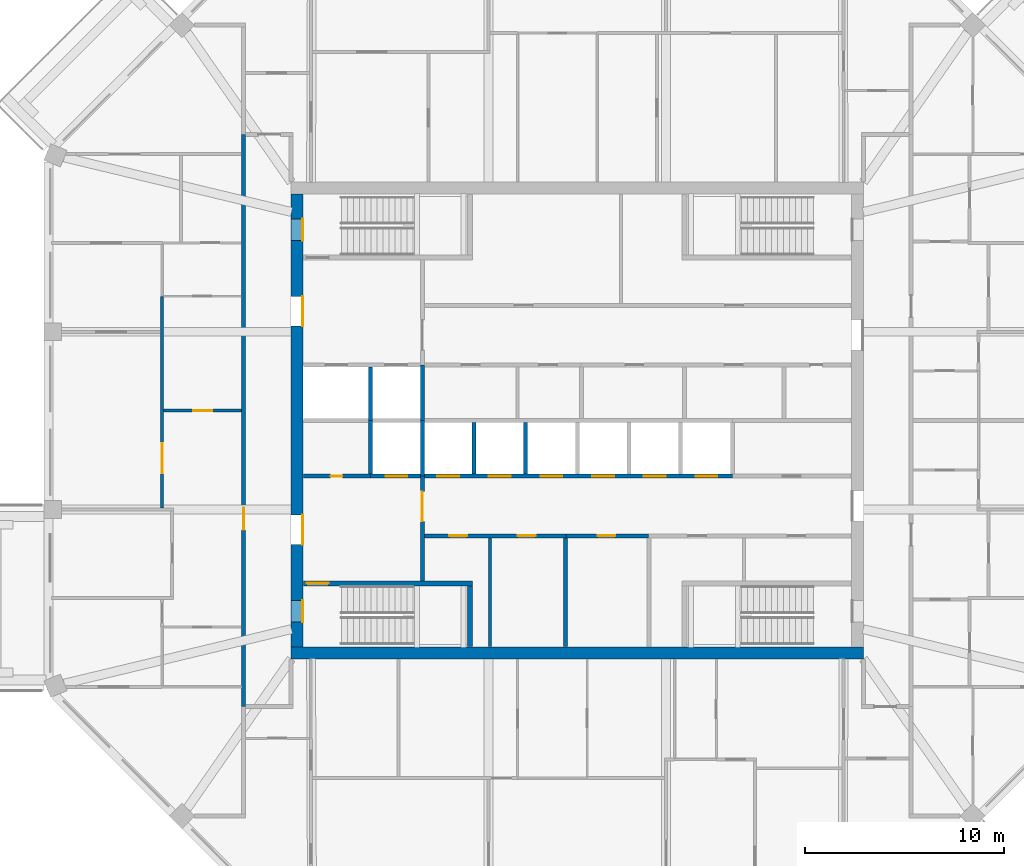
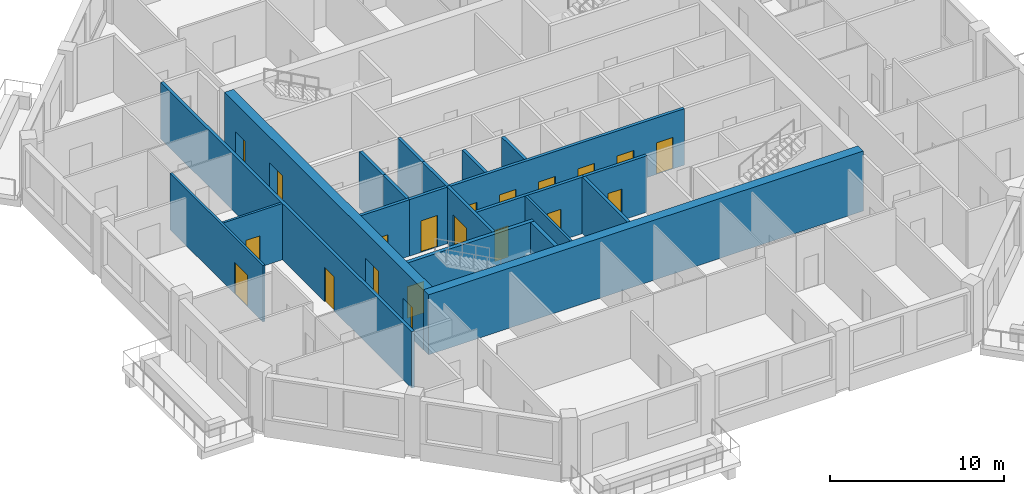
# One storey, part 4 of 11: 20 doors, 20 walls, 20 openings.
"""IFC4 building model written with IfcOpenShell, lengths in metres."""

from ifc_helpers import new_model, si_unit, direction, frame, frame_2d, origin, place, context, subcontext, project, spatial, rectangle, extrude, material, layer, layer_set, type_object, element, fill, save


model = new_model("IFC4")

# Units and contexts
model_context = context("Model", 3, precision=1e-05, world=origin(), true_north=direction((0.0, 1.0)))
body_context = subcontext(model_context, "Body", "Model", "MODEL_VIEW")
ifc_project = project(units=[si_unit("LENGTHUNIT", "METRE"), si_unit("AREAUNIT", "SQUARE_METRE"), si_unit("VOLUMEUNIT", "CUBIC_METRE"), si_unit("PLANEANGLEUNIT", "RADIAN"), si_unit("MASSUNIT", "GRAM", prefix="KILO")], contexts=[model_context])

# Site, building, storey
site_placement = place(None, origin())
site = spatial("IfcSite", under=ifc_project, at=site_placement, CompositionType="ELEMENT")
building_placement = place(site_placement, origin())
building = spatial("IfcBuilding", under=site, at=building_placement, Name="Msitu Wima Residences", CompositionType="ELEMENT")
storey_placement = place(building_placement, frame((0.0, 0.0, 260.10009765625)))
storey = spatial("IfcBuildingStorey", under=building, at=storey_placement, Name="L60", CompositionType="ELEMENT", Elevation=260.10009765625)

# Wall
ifc_material_1 = material(Name="Concrete C50/60", Category="concrete")
ifc_layer_1 = layer(ifc_material_1, 0.60009765625)
ifc_layer_set_1 = layer_set([ifc_layer_1], Name="Concrete C50/60")
wall_type_1 = type_object("IfcWallType", Name="Core wall CW600 C50/60", PredefinedType="SHEAR", material=ifc_layer_set_1)
wall_1_placement = place(storey_placement, frame((-14.39990234375, -11.699951171875, 0.0), z_axis=(0.0, 0.0, 1.0), x_axis=(1.0, 0.0, 0.0)))
element("IfcWall", 1, at=wall_1_placement, inside=storey, type_object=wall_type_1, Name="Core wall", PredefinedType="SHEAR", context=body_context, shape_type="SweptSolid", body=[
    extrude(rectangle(XDim=28.7998046875, YDim=0.60009765625, at=frame_2d((14.39990234375, 0.0))), origin(), (0.0, 0.0, 1.0), 4.199951171875),
])

# Wall, openings, doors
wall_2_placement = place(storey_placement, frame((-14.10009765625, -11.39990234375, 0.0), z_axis=(0.0, 0.0, 1.0), x_axis=(0.0, 1.0, 0.0)))
wall_2 = element("IfcWall", 2, at=wall_2_placement, inside=storey, type_object=wall_type_1, Name="Core wall", PredefinedType="SHEAR", context=body_context, shape_type="SweptSolid", body=[
    extrude(rectangle(XDim=22.7998046875, YDim=0.60009765625, at=frame_2d((11.39990234375, 0.0))), origin(), (0.0, 0.0, 1.0), 4.199951171875),
])
opening_1_placement = place(wall_2_placement, frame((20.449951171875, 0.0, 0.0)))
opening_1 = element("IfcOpeningElement", 3, at=opening_1_placement, cuts=wall_2, Name="Opening D60-62.085", PredefinedType="OPENING", context=body_context, shape_type="SweptSolid", body=[
    extrude(rectangle(XDim=1.10009765625, YDim=2.199951171875, at=frame_2d((0.550048828125, 1.10009765625))), frame((0.0, 0.31005859375, 0.0), z_axis=(0.0, -1.0, 0.0), x_axis=(1.0, 0.0, 0.0)), (0.0, 0.0, 1.0), 0.6201171875),
])
opening_2_placement = place(wall_2_placement, frame((1.25, 0.0, 0.0)))
opening_2 = element("IfcOpeningElement", 4, at=opening_2_placement, cuts=wall_2, Name="Opening D60-62.087", PredefinedType="OPENING", context=body_context, shape_type="SweptSolid", body=[
    extrude(rectangle(XDim=1.10009765625, YDim=2.199951171875, at=frame_2d((0.550048828125, 1.10009765625))), frame((0.0, 0.31005859375, 0.0), z_axis=(0.0, -1.0, 0.0), x_axis=(1.0, 0.0, 0.0)), (0.0, 0.0, 1.0), 0.6201171875),
])
opening_3_placement = place(wall_2_placement, frame((16.14990234375, 0.0, 0.0)))
opening_3 = element("IfcOpeningElement", 5, at=opening_3_placement, cuts=wall_2, Name="Opening D60-62.066", PredefinedType="OPENING", context=body_context, shape_type="SweptSolid", body=[
    extrude(rectangle(XDim=1.5, YDim=2.39990234375, at=frame_2d((0.75, 1.199951171875))), frame((0.0, 0.31005859375, 0.0), z_axis=(0.0, -1.0, 0.0), x_axis=(1.0, 0.0, 0.0)), (0.0, 0.0, 1.0), 0.6201171875),
])
opening_4_placement = place(wall_2_placement, frame((5.14990234375, 0.0, 0.0)))
opening_4 = element("IfcOpeningElement", 6, at=opening_4_placement, cuts=wall_2, Name="Opening D60-62.068", PredefinedType="OPENING", context=body_context, shape_type="SweptSolid", body=[
    extrude(rectangle(XDim=1.5, YDim=2.39990234375, at=frame_2d((0.75, 1.199951171875))), frame((0.0, 0.31005859375, 0.0), z_axis=(0.0, -1.0, 0.0), x_axis=(1.0, 0.0, 0.0)), (0.0, 0.0, 1.0), 0.6201171875),
])
ifc_material_2 = material(Name="Steel framed glazed door, fire resisting", Category="steel")
door_type_1 = type_object("IfcDoorType", Name="Lobby door D07 1500x2400", OperationType="DOUBLE_DOOR_SINGLE_SWING", PredefinedType="DOOR", material=ifc_material_2)
door_1_placement = place(opening_3_placement, origin())
door_1 = element("IfcDoor", 7, at=door_1_placement, inside=storey, type_object=door_type_1, Name="Lobby door", OperationType="DOUBLE_DOOR_SINGLE_SWING", OverallHeight=2.39990234375, OverallWidth=1.5, PredefinedType="DOOR", context=body_context, shape_type="SweptSolid", body=[
    extrude(rectangle(XDim=1.5, YDim=2.39990234375, at=frame_2d((0.75, 1.199951171875))), frame((0.0, -0.2451171875, 0.0), z_axis=(0.0, -1.0, 0.0), x_axis=(1.0, 0.0, 0.0)), (0.0, 0.0, 1.0), 0.050048828125),
])
fill(opening_3, door_1)
door_2_placement = place(opening_4_placement, origin())
door_2 = element("IfcDoor", 8, at=door_2_placement, inside=storey, type_object=door_type_1, Name="Lobby door", OperationType="DOUBLE_DOOR_SINGLE_SWING", OverallHeight=2.39990234375, OverallWidth=1.5, PredefinedType="DOOR", context=body_context, shape_type="SweptSolid", body=[
    extrude(rectangle(XDim=1.5, YDim=2.39990234375, at=frame_2d((0.75, 1.199951171875))), frame((0.0, -0.2451171875, 0.0), z_axis=(0.0, -1.0, 0.0), x_axis=(1.0, 0.0, 0.0)), (0.0, 0.0, 1.0), 0.050048828125),
])
fill(opening_4, door_2)
ifc_material_3 = material(Name="Steel door, fire resisting, panic bar", Category="steel")
door_type_2 = type_object("IfcDoorType", Name="Stair door D06 1100x2200", OperationType="SINGLE_SWING_LEFT", PredefinedType="DOOR", material=ifc_material_3)
door_3_placement = place(opening_1_placement, origin())
door_3 = element("IfcDoor", 9, at=door_3_placement, inside=storey, type_object=door_type_2, Name="Stair door", OperationType="SINGLE_SWING_RIGHT", OverallHeight=2.199951171875, OverallWidth=1.10009765625, PredefinedType="DOOR", context=body_context, shape_type="SweptSolid", body=[
    extrude(rectangle(XDim=1.10009765625, YDim=2.199951171875, at=frame_2d((0.550048828125, 1.10009765625))), frame((0.0, -0.2451171875, 0.0), z_axis=(0.0, -1.0, 0.0), x_axis=(1.0, 0.0, 0.0)), (0.0, 0.0, 1.0), 0.050048828125),
])
fill(opening_1, door_3)
door_4_placement = place(opening_2_placement, origin())
door_4 = element("IfcDoor", 10, at=door_4_placement, inside=storey, type_object=door_type_2, Name="Stair door", OperationType="SINGLE_SWING_LEFT", OverallHeight=2.199951171875, OverallWidth=1.10009765625, PredefinedType="DOOR", context=body_context, shape_type="SweptSolid", body=[
    extrude(rectangle(XDim=1.10009765625, YDim=2.199951171875, at=frame_2d((0.550048828125, 1.10009765625))), frame((0.0, -0.2451171875, 0.0), z_axis=(0.0, -1.0, 0.0), x_axis=(1.0, 0.0, 0.0)), (0.0, 0.0, 1.0), 0.050048828125),
])
fill(opening_2, door_4)

# Wall, opening, door
ifc_material_4 = material(Name="Plaster")
ifc_layer_2 = layer(ifc_material_4, 0.011962890625, Name="Plaster")
ifc_material_5 = material(Name="Concrete blockwork", Category="masonry")
ifc_layer_3 = layer(ifc_material_5, 0.176025390625, Name="Concrete blockwork")
ifc_layer_4 = layer(ifc_material_4, 0.011962890625, Name="Plaster")
ifc_layer_set_2 = layer_set([ifc_layer_2, ifc_layer_3, ifc_layer_4], Name="Concrete blockwork")
wall_type_2 = type_object("IfcWallType", Name="Corridor wall FW200", PredefinedType="PARTITIONING", material=ifc_layer_set_2)
wall_3_placement = place(storey_placement, frame((-16.800048828125, -14.39990234375, 0.0), z_axis=(0.0, 0.0, 1.0), x_axis=(0.0, 1.0, 0.0)))
wall_3 = element("IfcWall", 11, at=wall_3_placement, inside=storey, type_object=wall_type_2, Name="Corridor wall", PredefinedType="PARTITIONING", context=body_context, shape_type="SweptSolid", body=[
    extrude(rectangle(XDim=28.7998046875, YDim=0.199951171875, at=frame_2d((14.39990234375, 0.0))), origin(), (0.0, 0.0, 1.0), 3.949951171875),
])
opening_5_placement = place(wall_3_placement, frame((8.89990234375, 0.0, 0.0)))
opening_5 = element("IfcOpeningElement", 12, at=opening_5_placement, cuts=wall_3, Name="Opening D60-62.039", PredefinedType="OPENING", context=body_context, shape_type="SweptSolid", body=[
    extrude(rectangle(XDim=1.10009765625, YDim=2.39990234375, at=frame_2d((0.550048828125, 1.199951171875))), frame((0.0, 0.10986328125, 0.0), z_axis=(0.0, -1.0, 0.0), x_axis=(1.0, 0.0, 0.0)), (0.0, 0.0, 1.0), 0.219970703125),
])
ifc_material_6 = material(Name="Timber flush door, fire resisting, self-closing", Category="wood")
door_type_3 = type_object("IfcDoorType", Name="Flat entrance door D01 1100x2400", OperationType="SINGLE_SWING_LEFT", PredefinedType="DOOR", material=ifc_material_6)
door_5_placement = place(opening_5_placement, origin())
door_5 = element("IfcDoor", 13, at=door_5_placement, inside=storey, type_object=door_type_3, Name="Flat entrance door", OperationType="SINGLE_SWING_LEFT", OverallHeight=2.39990234375, OverallWidth=1.10009765625, PredefinedType="DOOR", context=body_context, shape_type="SweptSolid", body=[
    extrude(rectangle(XDim=1.10009765625, YDim=2.39990234375, at=frame_2d((0.550048828125, 1.199951171875))), frame((0.0, 0.02490234375, 0.0), z_axis=(0.0, -1.0, 0.0), x_axis=(1.0, 0.0, 0.0)), (0.0, 0.0, 1.0), 0.050048828125),
])
fill(opening_5, door_5)

wall_4_placement = place(storey_placement, frame((-7.800048828125, -8.074951171875, 0.0), z_axis=(0.0, 0.0, 1.0), x_axis=(0.0, 1.0, 0.0)))
wall_4 = element("IfcWall", 14, at=wall_4_placement, inside=storey, type_object=wall_type_2, Name="Corridor wall", PredefinedType="PARTITIONING", context=body_context, shape_type="SweptSolid", body=[
    extrude(rectangle(XDim=5.27490234375, YDim=0.199951171875, at=frame_2d((2.637451171875, 0.0))), origin(), (0.0, 0.0, 1.0), 3.949951171875),
])
opening_6_placement = place(wall_4_placement, frame((3.0, 0.0, 0.0)))
opening_6 = element("IfcOpeningElement", 15, at=opening_6_placement, cuts=wall_4, Name="Opening D60-62.069", PredefinedType="OPENING", context=body_context, shape_type="SweptSolid", body=[
    extrude(rectangle(XDim=1.5, YDim=2.39990234375, at=frame_2d((0.75, 1.199951171875))), frame((0.0, 0.10986328125, 0.0), z_axis=(0.0, -1.0, 0.0), x_axis=(1.0, 0.0, 0.0)), (0.0, 0.0, 1.0), 0.219970703125),
])
door_6_placement = place(opening_6_placement, origin())
door_6 = element("IfcDoor", 16, at=door_6_placement, inside=storey, type_object=door_type_1, Name="Lobby door", OperationType="DOUBLE_DOOR_SINGLE_SWING", OverallHeight=2.39990234375, OverallWidth=1.5, PredefinedType="DOOR", context=body_context, shape_type="SweptSolid", body=[
    extrude(rectangle(XDim=1.5, YDim=2.39990234375, at=frame_2d((0.75, 1.199951171875))), frame((0.0, 0.02490234375, 0.0), z_axis=(0.0, -1.0, 0.0), x_axis=(1.0, 0.0, 0.0)), (0.0, 0.0, 1.0), 0.050048828125),
])
fill(opening_6, door_6)

# Wall, openings, doors
wall_5_placement = place(storey_placement, frame((-7.699951171875, -5.800048828125, 0.0), z_axis=(0.0, 0.0, 1.0), x_axis=(1.0, 0.0, 0.0)))
wall_5 = element("IfcWall", 17, at=wall_5_placement, inside=storey, type_object=wall_type_2, Name="Corridor wall", PredefinedType="PARTITIONING", context=body_context, shape_type="SweptSolid", body=[
    extrude(rectangle(XDim=7.119873046875, YDim=0.199951171875, at=frame_2d((3.56005859375, 0.0))), origin(), (0.0, 0.0, 1.0), 3.949951171875),
])
opening_7_placement = place(wall_5_placement, frame((1.25, 0.0, 0.0)))
opening_7 = element("IfcOpeningElement", 18, at=opening_7_placement, cuts=wall_5, Name="Opening D60-62.072", PredefinedType="OPENING", context=body_context, shape_type="SweptSolid", body=[
    extrude(rectangle(XDim=0.89990234375, YDim=2.199951171875, at=frame_2d((0.449951171875, 1.10009765625))), frame((0.0, 0.10986328125, 0.0), z_axis=(0.0, -1.0, 0.0), x_axis=(1.0, 0.0, 0.0)), (0.0, 0.0, 1.0), 0.219970703125),
])
opening_8_placement = place(wall_5_placement, frame((4.699951171875, 0.0, 0.0)))
opening_8 = element("IfcOpeningElement", 19, at=opening_8_placement, cuts=wall_5, Name="Opening D60-62.073", PredefinedType="OPENING", context=body_context, shape_type="SweptSolid", body=[
    extrude(rectangle(XDim=0.89990234375, YDim=2.199951171875, at=frame_2d((0.449951171875, 1.10009765625))), frame((0.0, 0.10986328125, 0.0), z_axis=(0.0, -1.0, 0.0), x_axis=(1.0, 0.0, 0.0)), (0.0, 0.0, 1.0), 0.219970703125),
])
ifc_material_7 = material(Name="Timber flush door", Category="wood")
door_type_4 = type_object("IfcDoorType", Name="Service door D05 900x2200", OperationType="SINGLE_SWING_LEFT", PredefinedType="DOOR", material=ifc_material_7)
door_7_placement = place(opening_7_placement, origin())
door_7 = element("IfcDoor", 20, at=door_7_placement, inside=storey, type_object=door_type_4, Name="Service door", OperationType="SINGLE_SWING_LEFT", OverallHeight=2.199951171875, OverallWidth=0.89990234375, PredefinedType="DOOR", context=body_context, shape_type="SweptSolid", body=[
    extrude(rectangle(XDim=0.89990234375, YDim=2.199951171875, at=frame_2d((0.449951171875, 1.10009765625))), frame((0.0, 0.02490234375, 0.0), z_axis=(0.0, -1.0, 0.0), x_axis=(1.0, 0.0, 0.0)), (0.0, 0.0, 1.0), 0.050048828125),
])
fill(opening_7, door_7)
door_8_placement = place(opening_8_placement, origin())
door_8 = element("IfcDoor", 21, at=door_8_placement, inside=storey, type_object=door_type_4, Name="Service door", OperationType="SINGLE_SWING_RIGHT", OverallHeight=2.199951171875, OverallWidth=0.89990234375, PredefinedType="DOOR", context=body_context, shape_type="SweptSolid", body=[
    extrude(rectangle(XDim=0.89990234375, YDim=2.199951171875, at=frame_2d((0.449951171875, 1.10009765625))), frame((0.0, 0.02490234375, 0.0), z_axis=(0.0, -1.0, 0.0), x_axis=(1.0, 0.0, 0.0)), (0.0, 0.0, 1.0), 0.050048828125),
])
fill(opening_8, door_8)

# Wall, opening, door
ifc_layer_5 = layer(ifc_material_4, 0.011962890625, Name="Plaster")
ifc_layer_6 = layer(ifc_material_5, 0.1259765625, Name="Concrete blockwork")
ifc_layer_7 = layer(ifc_material_4, 0.011962890625, Name="Plaster")
ifc_layer_set_3 = layer_set([ifc_layer_5, ifc_layer_6, ifc_layer_7], Name="Concrete blockwork")
wall_type_3 = type_object("IfcWallType", Name="Partition PW150", PredefinedType="PARTITIONING", material=ifc_layer_set_3)
wall_6_placement = place(storey_placement, frame((-20.89990234375, -4.3935546875, 0.0), z_axis=(0.0, 0.0, 1.0), x_axis=(0.0, 1.0, 0.0)))
wall_6 = element("IfcWall", 22, at=wall_6_placement, inside=storey, type_object=wall_type_3, Name="Partition", PredefinedType="PARTITIONING", context=body_context, shape_type="SweptSolid", body=[
    extrude(rectangle(XDim=10.649658203125, YDim=0.14990234375, at=frame_2d((5.32470703125, 0.0))), origin(), (0.0, 0.0, 1.0), 3.949951171875),
])
opening_9_placement = place(wall_6_placement, frame((1.75, 0.0, 0.0)))
opening_9 = element("IfcOpeningElement", 23, at=opening_9_placement, cuts=wall_6, Name="Opening D60-62.044", PredefinedType="OPENING", context=body_context, shape_type="SweptSolid", body=[
    extrude(rectangle(XDim=1.5, YDim=2.199951171875, at=frame_2d((0.75, 1.10009765625))), frame((0.0, 0.0849609375, 0.0), z_axis=(0.0, -1.0, 0.0), x_axis=(1.0, 0.0, 0.0)), (0.0, 0.0, 1.0), 0.169921875),
])
ifc_material_8 = material(Name="Timber double door", Category="wood")
door_type_5 = type_object("IfcDoorType", Name="Double door D04 1500x2200", OperationType="DOUBLE_DOOR_SINGLE_SWING", PredefinedType="DOOR", material=ifc_material_8)
door_9_placement = place(opening_9_placement, origin())
door_9 = element("IfcDoor", 24, at=door_9_placement, inside=storey, type_object=door_type_5, Name="Double door", OperationType="DOUBLE_DOOR_SINGLE_SWING", OverallHeight=2.199951171875, OverallWidth=1.5, PredefinedType="DOOR", context=body_context, shape_type="SweptSolid", body=[
    extrude(rectangle(XDim=1.5, YDim=2.199951171875, at=frame_2d((0.75, 1.10009765625))), frame((0.0, 0.02490234375, 0.0), z_axis=(0.0, -1.0, 0.0), x_axis=(1.0, 0.0, 0.0)), (0.0, 0.0, 1.0), 0.050048828125),
])
fill(opening_9, door_9)

wall_7_placement = place(storey_placement, frame((-20.824951171875, 0.5, 0.0), z_axis=(0.0, 0.0, 1.0), x_axis=(1.0, 0.0, 0.0)))
wall_7 = element("IfcWall", 25, at=wall_7_placement, inside=storey, type_object=wall_type_3, Name="Partition", PredefinedType="PARTITIONING", context=body_context, shape_type="SweptSolid", body=[
    extrude(rectangle(XDim=3.925048828125, YDim=0.14990234375, at=frame_2d((1.96240234375, 0.0))), origin(), (0.0, 0.0, 1.0), 3.949951171875),
])
opening_10_placement = place(wall_7_placement, frame((1.5, 0.0, 0.0)))
opening_10 = element("IfcOpeningElement", 26, at=opening_10_placement, cuts=wall_7, Name="Opening D60-62.040", PredefinedType="OPENING", context=body_context, shape_type="SweptSolid", body=[
    extrude(rectangle(XDim=0.949951171875, YDim=2.199951171875, at=frame_2d((0.47509765625, 1.10009765625))), frame((0.0, 0.0849609375, 0.0), z_axis=(0.0, -1.0, 0.0), x_axis=(1.0, 0.0, 0.0)), (0.0, 0.0, 1.0), 0.169921875),
])
door_type_6 = type_object("IfcDoorType", Name="Room door D12 950x2200", OperationType="SINGLE_SWING_LEFT", PredefinedType="DOOR", material=ifc_material_7)
door_10_placement = place(opening_10_placement, origin())
door_10 = element("IfcDoor", 27, at=door_10_placement, inside=storey, type_object=door_type_6, Name="Room door", OperationType="SINGLE_SWING_RIGHT", OverallHeight=2.199951171875, OverallWidth=0.949951171875, PredefinedType="DOOR", context=body_context, shape_type="SweptSolid", body=[
    extrude(rectangle(XDim=0.949951171875, YDim=2.199951171875, at=frame_2d((0.47509765625, 1.10009765625))), frame((0.0, 0.02490234375, 0.0), z_axis=(0.0, -1.0, 0.0), x_axis=(1.0, 0.0, 0.0)), (0.0, 0.0, 1.0), 0.050048828125),
])
fill(opening_10, door_10)

# Wall
wall_8_placement = place(storey_placement, frame((-4.39990234375, -11.3701171875, 0.0), z_axis=(0.0, 0.0, 1.0), x_axis=(0.0, 1.0, 0.0)))
element("IfcWall", 28, at=wall_8_placement, inside=storey, type_object=wall_type_3, Name="Partition", PredefinedType="PARTITIONING", context=body_context, shape_type="SweptSolid", body=[
    extrude(rectangle(XDim=5.47021484375, YDim=0.14990234375, at=frame_2d((2.735107421875, 0.0))), origin(), (0.0, 0.0, 1.0), 3.949951171875),
])

# Wall, opening, door
ifc_layer_8 = layer(ifc_material_4, 0.011962890625, Name="Plaster")
ifc_material_9 = material(Name="Reinforced concrete blockwork", Category="masonry")
ifc_layer_9 = layer(ifc_material_9, 0.176025390625, Name="Reinforced concrete blockwork")
ifc_layer_10 = layer(ifc_material_4, 0.011962890625, Name="Plaster")
ifc_layer_set_4 = layer_set([ifc_layer_8, ifc_layer_9, ifc_layer_10], Name="Reinforced concrete blockwork")
wall_type_4 = type_object("IfcWallType", Name="Plant and riser wall PL200", PredefinedType="PARTITIONING", material=ifc_layer_set_4)
wall_9_placement = place(storey_placement, frame((-13.77001953125, -2.800048828125, 0.0), z_axis=(0.0, 0.0, 1.0), x_axis=(1.0, 0.0, 0.0)))
wall_9 = element("IfcWall", 29, at=wall_9_placement, inside=storey, type_object=wall_type_4, Name="Plant and riser wall", PredefinedType="PARTITIONING", context=body_context, shape_type="SweptSolid", body=[
    extrude(rectangle(XDim=3.3701171875, YDim=0.199951171875, at=frame_2d((1.68505859375, 0.0))), origin(), (0.0, 0.0, 1.0), 3.949951171875),
])
opening_11_placement = place(wall_9_placement, frame((1.35009765625, 0.0, 0.0)))
opening_11 = element("IfcOpeningElement", 30, at=opening_11_placement, cuts=wall_9, Name="Opening D60-62.084", PredefinedType="OPENING", context=body_context, shape_type="SweptSolid", body=[
    extrude(rectangle(XDim=0.60009765625, YDim=2.0, at=frame_2d((0.300048828125, 1.0))), frame((0.0, 0.10986328125, 0.0), z_axis=(0.0, -1.0, 0.0), x_axis=(1.0, 0.0, 0.0)), (0.0, 0.0, 1.0), 0.219970703125),
])
ifc_material_10 = material(Name="Steel access door, fire resisting", Category="steel")
door_type_7 = type_object("IfcDoorType", Name="Riser access door D08 600x2000", OperationType="SINGLE_SWING_LEFT", PredefinedType="DOOR", material=ifc_material_10)
door_11_placement = place(opening_11_placement, origin())
door_11 = element("IfcDoor", 31, at=door_11_placement, inside=storey, type_object=door_type_7, Name="Riser access door", OperationType="SINGLE_SWING_RIGHT", OverallHeight=2.0, OverallWidth=0.60009765625, PredefinedType="DOOR", context=body_context, shape_type="SweptSolid", body=[
    extrude(rectangle(XDim=0.60009765625, YDim=2.0, at=frame_2d((0.300048828125, 1.0))), frame((0.0, 0.02490234375, 0.0), z_axis=(0.0, -1.0, 0.0), x_axis=(1.0, 0.0, 0.0)), (0.0, 0.0, 1.0), 0.050048828125),
])
fill(opening_11, door_11)

wall_10_placement = place(storey_placement, frame((-0.580078125, -5.800048828125, 0.0), z_axis=(0.0, 0.0, 1.0), x_axis=(1.0, 0.0, 0.0)))
wall_10 = element("IfcWall", 32, at=wall_10_placement, inside=storey, type_object=wall_type_4, Name="Plant and riser wall", PredefinedType="PARTITIONING", context=body_context, shape_type="SweptSolid", body=[
    extrude(rectangle(XDim=4.16015625, YDim=0.199951171875, at=frame_2d((2.080078125, 0.0))), origin(), (0.0, 0.0, 1.0), 3.949951171875),
])
opening_12_placement = place(wall_10_placement, frame((1.60009765625, 0.0, 0.0)))
opening_12 = element("IfcOpeningElement", 33, at=opening_12_placement, cuts=wall_10, Name="Opening D60-62.074", PredefinedType="OPENING", context=body_context, shape_type="SweptSolid", body=[
    extrude(rectangle(XDim=0.89990234375, YDim=2.199951171875, at=frame_2d((0.449951171875, 1.10009765625))), frame((0.0, 0.10986328125, 0.0), z_axis=(0.0, -1.0, 0.0), x_axis=(1.0, 0.0, 0.0)), (0.0, 0.0, 1.0), 0.219970703125),
])
door_12_placement = place(opening_12_placement, origin())
door_12 = element("IfcDoor", 34, at=door_12_placement, inside=storey, type_object=door_type_4, Name="Service door", OperationType="SINGLE_SWING_RIGHT", OverallHeight=2.199951171875, OverallWidth=0.89990234375, PredefinedType="DOOR", context=body_context, shape_type="SweptSolid", body=[
    extrude(rectangle(XDim=0.89990234375, YDim=2.199951171875, at=frame_2d((0.449951171875, 1.10009765625))), frame((0.0, 0.02490234375, 0.0), z_axis=(0.0, -1.0, 0.0), x_axis=(1.0, 0.0, 0.0)), (0.0, 0.0, 1.0), 0.050048828125),
])
fill(opening_12, door_12)

# Walls
wall_11_placement = place(storey_placement, frame((-0.60009765625, -11.3701171875, 0.0), z_axis=(0.0, 0.0, 1.0), x_axis=(0.0, 1.0, 0.0)))
element("IfcWall", 35, at=wall_11_placement, inside=storey, type_object=wall_type_4, Name="Plant and riser wall", PredefinedType="PARTITIONING", context=body_context, shape_type="SweptSolid", body=[
    extrude(rectangle(XDim=5.47021484375, YDim=0.199951171875, at=frame_2d((2.735107421875, 0.0))), origin(), (0.0, 0.0, 1.0), 3.949951171875),
])
ifc_material_11 = material(Name="Fire-rated board")
ifc_layer_11 = layer(ifc_material_11, 0.02490234375, Name="Fire-rated board")
ifc_material_12 = material(Name="Light-gauge stud framing with mineral wool")
ifc_layer_12 = layer(ifc_material_12, 0.14990234375, Name="Light-gauge stud framing with mineral wool")
ifc_layer_13 = layer(ifc_material_11, 0.02490234375, Name="Fire-rated board")
ifc_layer_set_5 = layer_set([ifc_layer_11, ifc_layer_12, ifc_layer_13], Name="Light-gauge stud framing with mineral wool")
wall_type_5 = type_object("IfcWallType", Name="Shaft wall SH200", PredefinedType="PARTITIONING", material=ifc_layer_set_5)
wall_12_placement = place(storey_placement, frame((-10.39990234375, -2.699951171875, 0.0), z_axis=(0.0, 0.0, 1.0), x_axis=(0.0, 1.0, 0.0)))
element("IfcWall", 36, at=wall_12_placement, inside=storey, type_object=wall_type_5, Name="Shaft wall", PredefinedType="PARTITIONING", context=body_context, shape_type="SweptSolid", body=[
    extrude(rectangle(XDim=2.699951171875, YDim=0.199951171875, at=frame_2d((1.35009765625, 0.0))), origin(), (0.0, 0.0, 1.0), 3.949951171875),
])

# Wall, openings, doors
wall_13_placement = place(storey_placement, frame((-10.39990234375, -2.800048828125, 0.0), z_axis=(0.0, 0.0, 1.0), x_axis=(1.0, 0.0, 0.0)))
wall_13 = element("IfcWall", 37, at=wall_13_placement, inside=storey, type_object=wall_type_5, Name="Shaft wall", PredefinedType="PARTITIONING", context=body_context, shape_type="SweptSolid", body=[
    extrude(rectangle(XDim=18.199951171875, YDim=0.199951171875, at=frame_2d((9.10009765625, 0.0))), origin(), (0.0, 0.0, 1.0), 3.949951171875),
])
opening_13_placement = place(wall_13_placement, frame((0.75, 0.0, 0.0)))
opening_13 = element("IfcOpeningElement", 38, at=opening_13_placement, cuts=wall_13, Name="Opening LD", PredefinedType="OPENING", context=body_context, shape_type="SweptSolid", body=[
    extrude(rectangle(XDim=1.10009765625, YDim=2.199951171875, at=frame_2d((0.550048828125, 1.10009765625))), frame((0.0, 0.10986328125, 0.0), z_axis=(0.0, -1.0, 0.0), x_axis=(1.0, 0.0, 0.0)), (0.0, 0.0, 1.0), 0.219970703125),
])
opening_14_placement = place(wall_13_placement, frame((3.35009765625, 0.0, 0.0)))
opening_14 = element("IfcOpeningElement", 39, at=opening_14_placement, cuts=wall_13, Name="Opening LD", PredefinedType="OPENING", context=body_context, shape_type="SweptSolid", body=[
    extrude(rectangle(XDim=1.10009765625, YDim=2.199951171875, at=frame_2d((0.550048828125, 1.10009765625))), frame((0.0, 0.10986328125, 0.0), z_axis=(0.0, -1.0, 0.0), x_axis=(1.0, 0.0, 0.0)), (0.0, 0.0, 1.0), 0.219970703125),
])
opening_15_placement = place(wall_13_placement, frame((5.949951171875, 0.0, 0.0)))
opening_15 = element("IfcOpeningElement", 40, at=opening_15_placement, cuts=wall_13, Name="Opening LD", PredefinedType="OPENING", context=body_context, shape_type="SweptSolid", body=[
    extrude(rectangle(XDim=1.10009765625, YDim=2.199951171875, at=frame_2d((0.550048828125, 1.10009765625))), frame((0.0, 0.10986328125, 0.0), z_axis=(0.0, -1.0, 0.0), x_axis=(1.0, 0.0, 0.0)), (0.0, 0.0, 1.0), 0.219970703125),
])
opening_16_placement = place(wall_13_placement, frame((8.550048828125, 0.0, 0.0)))
opening_16 = element("IfcOpeningElement", 41, at=opening_16_placement, cuts=wall_13, Name="Opening LD", PredefinedType="OPENING", context=body_context, shape_type="SweptSolid", body=[
    extrude(rectangle(XDim=1.10009765625, YDim=2.199951171875, at=frame_2d((0.550048828125, 1.10009765625))), frame((0.0, 0.10986328125, 0.0), z_axis=(0.0, -1.0, 0.0), x_axis=(1.0, 0.0, 0.0)), (0.0, 0.0, 1.0), 0.219970703125),
])
opening_17_placement = place(wall_13_placement, frame((11.14990234375, 0.0, 0.0)))
opening_17 = element("IfcOpeningElement", 42, at=opening_17_placement, cuts=wall_13, Name="Opening LD", PredefinedType="OPENING", context=body_context, shape_type="SweptSolid", body=[
    extrude(rectangle(XDim=1.10009765625, YDim=2.199951171875, at=frame_2d((0.550048828125, 1.10009765625))), frame((0.0, 0.10986328125, 0.0), z_axis=(0.0, -1.0, 0.0), x_axis=(1.0, 0.0, 0.0)), (0.0, 0.0, 1.0), 0.219970703125),
])
opening_18_placement = place(wall_13_placement, frame((13.75, 0.0, 0.0)))
opening_18 = element("IfcOpeningElement", 43, at=opening_18_placement, cuts=wall_13, Name="Opening LD", PredefinedType="OPENING", context=body_context, shape_type="SweptSolid", body=[
    extrude(rectangle(XDim=1.10009765625, YDim=2.199951171875, at=frame_2d((0.550048828125, 1.10009765625))), frame((0.0, 0.10986328125, 0.0), z_axis=(0.0, -1.0, 0.0), x_axis=(1.0, 0.0, 0.0)), (0.0, 0.0, 1.0), 0.219970703125),
])
opening_19_placement = place(wall_13_placement, frame((16.35009765625, 0.0, 0.0)))
opening_19 = element("IfcOpeningElement", 44, at=opening_19_placement, cuts=wall_13, Name="Opening LD", PredefinedType="OPENING", context=body_context, shape_type="SweptSolid", body=[
    extrude(rectangle(XDim=1.10009765625, YDim=2.199951171875, at=frame_2d((0.550048828125, 1.10009765625))), frame((0.0, 0.10986328125, 0.0), z_axis=(0.0, -1.0, 0.0), x_axis=(1.0, 0.0, 0.0)), (0.0, 0.0, 1.0), 0.219970703125),
])
ifc_material_13 = material(Name="Stainless steel centre-opening landing door, rated", Category="steel")
door_type_8 = type_object("IfcDoorType", Name="Lift landing door LD 1100x2200", OperationType="DOUBLE_DOOR_SLIDING", PredefinedType="DOOR", material=ifc_material_13)
door_13_placement = place(opening_13_placement, origin())
door_13 = element("IfcDoor", 45, at=door_13_placement, inside=storey, type_object=door_type_8, Name="Lift landing door LD3", OperationType="DOUBLE_DOOR_SLIDING", OverallHeight=2.199951171875, OverallWidth=1.10009765625, PredefinedType="DOOR", context=body_context, shape_type="SweptSolid", body=[
    extrude(rectangle(XDim=1.10009765625, YDim=2.199951171875, at=frame_2d((0.550048828125, 1.10009765625))), frame((0.0, 0.02490234375, 0.0), z_axis=(0.0, -1.0, 0.0), x_axis=(1.0, 0.0, 0.0)), (0.0, 0.0, 1.0), 0.050048828125),
])
fill(opening_13, door_13)
door_14_placement = place(opening_14_placement, origin())
door_14 = element("IfcDoor", 46, at=door_14_placement, inside=storey, type_object=door_type_8, Name="Lift landing door LD5", OperationType="DOUBLE_DOOR_SLIDING", OverallHeight=2.199951171875, OverallWidth=1.10009765625, PredefinedType="DOOR", context=body_context, shape_type="SweptSolid", body=[
    extrude(rectangle(XDim=1.10009765625, YDim=2.199951171875, at=frame_2d((0.550048828125, 1.10009765625))), frame((0.0, 0.02490234375, 0.0), z_axis=(0.0, -1.0, 0.0), x_axis=(1.0, 0.0, 0.0)), (0.0, 0.0, 1.0), 0.050048828125),
])
fill(opening_14, door_14)
door_15_placement = place(opening_15_placement, origin())
door_15 = element("IfcDoor", 47, at=door_15_placement, inside=storey, type_object=door_type_8, Name="Lift landing door LD7", OperationType="DOUBLE_DOOR_SLIDING", OverallHeight=2.199951171875, OverallWidth=1.10009765625, PredefinedType="DOOR", context=body_context, shape_type="SweptSolid", body=[
    extrude(rectangle(XDim=1.10009765625, YDim=2.199951171875, at=frame_2d((0.550048828125, 1.10009765625))), frame((0.0, 0.02490234375, 0.0), z_axis=(0.0, -1.0, 0.0), x_axis=(1.0, 0.0, 0.0)), (0.0, 0.0, 1.0), 0.050048828125),
])
fill(opening_15, door_15)
door_16_placement = place(opening_16_placement, origin())
door_16 = element("IfcDoor", 48, at=door_16_placement, inside=storey, type_object=door_type_8, Name="Lift landing door LD9", OperationType="DOUBLE_DOOR_SLIDING", OverallHeight=2.199951171875, OverallWidth=1.10009765625, PredefinedType="DOOR", context=body_context, shape_type="SweptSolid", body=[
    extrude(rectangle(XDim=1.10009765625, YDim=2.199951171875, at=frame_2d((0.550048828125, 1.10009765625))), frame((0.0, 0.02490234375, 0.0), z_axis=(0.0, -1.0, 0.0), x_axis=(1.0, 0.0, 0.0)), (0.0, 0.0, 1.0), 0.050048828125),
])
fill(opening_16, door_16)
door_17_placement = place(opening_17_placement, origin())
door_17 = element("IfcDoor", 49, at=door_17_placement, inside=storey, type_object=door_type_8, Name="Lift landing door LD11", OperationType="DOUBLE_DOOR_SLIDING", OverallHeight=2.199951171875, OverallWidth=1.10009765625, PredefinedType="DOOR", context=body_context, shape_type="SweptSolid", body=[
    extrude(rectangle(XDim=1.10009765625, YDim=2.199951171875, at=frame_2d((0.550048828125, 1.10009765625))), frame((0.0, 0.02490234375, 0.0), z_axis=(0.0, -1.0, 0.0), x_axis=(1.0, 0.0, 0.0)), (0.0, 0.0, 1.0), 0.050048828125),
])
fill(opening_17, door_17)
door_18_placement = place(opening_18_placement, origin())
door_18 = element("IfcDoor", 50, at=door_18_placement, inside=storey, type_object=door_type_8, Name="Lift landing door LD13", OperationType="DOUBLE_DOOR_SLIDING", OverallHeight=2.199951171875, OverallWidth=1.10009765625, PredefinedType="DOOR", context=body_context, shape_type="SweptSolid", body=[
    extrude(rectangle(XDim=1.10009765625, YDim=2.199951171875, at=frame_2d((0.550048828125, 1.10009765625))), frame((0.0, 0.02490234375, 0.0), z_axis=(0.0, -1.0, 0.0), x_axis=(1.0, 0.0, 0.0)), (0.0, 0.0, 1.0), 0.050048828125),
])
fill(opening_18, door_18)
door_19_placement = place(opening_19_placement, origin())
door_19 = element("IfcDoor", 51, at=door_19_placement, inside=storey, type_object=door_type_8, Name="Lift landing door LD15", OperationType="DOUBLE_DOOR_SLIDING", OverallHeight=2.199951171875, OverallWidth=1.10009765625, PredefinedType="DOOR", context=body_context, shape_type="SweptSolid", body=[
    extrude(rectangle(XDim=1.10009765625, YDim=2.199951171875, at=frame_2d((0.550048828125, 1.10009765625))), frame((0.0, 0.02490234375, 0.0), z_axis=(0.0, -1.0, 0.0), x_axis=(1.0, 0.0, 0.0)), (0.0, 0.0, 1.0), 0.050048828125),
])
fill(opening_19, door_19)

# Walls
wall_14_placement = place(storey_placement, frame((-10.39990234375, 0.0, 0.0), z_axis=(0.0, 0.0, 1.0), x_axis=(0.0, 1.0, 0.0)))
element("IfcWall", 52, at=wall_14_placement, inside=storey, type_object=wall_type_5, Name="Shaft wall", PredefinedType="PARTITIONING", context=body_context, shape_type="SweptSolid", body=[
    extrude(rectangle(XDim=2.699951171875, YDim=0.199951171875, at=frame_2d((1.35009765625, 0.0))), origin(), (0.0, 0.0, 1.0), 3.949951171875),
])
for number, where, z_axis, x_axis, name in (
    (53, (-7.800048828125, -2.800048828125, 0.0), (0.0, 0.0, 1.0), (0.0, 1.0, 0.0), "Shaft wall"),
    (54, (-7.800048828125, 0.0, 0.0), (0.0, 0.0, 1.0), (0.0, 1.0, 0.0), "Shaft wall"),
):
    element("IfcWall", number, at=place(storey_placement, frame(where, z_axis=z_axis, x_axis=x_axis)), inside=storey, type_object=wall_type_5, Name=name, PredefinedType="PARTITIONING", context=body_context, shape_type="SweptSolid", body=[
        extrude(rectangle(XDim=2.800048828125, YDim=0.199951171875, at=frame_2d((1.39990234375, 0.0))), origin(), (0.0, 0.0, 1.0), 3.949951171875),
    ])
for number, where, z_axis, x_axis, name in (
    (55, (-5.199951171875, -2.699951171875, 0.0), (0.0, 0.0, 1.0), (0.0, 1.0, 0.0), "Shaft wall"),
    (56, (-2.60009765625, -2.699951171875, 0.0), (0.0, 0.0, 1.0), (0.0, 1.0, 0.0), "Shaft wall"),
):
    element("IfcWall", number, at=place(storey_placement, frame(where, z_axis=z_axis, x_axis=x_axis)), inside=storey, type_object=wall_type_5, Name=name, PredefinedType="PARTITIONING", context=body_context, shape_type="SweptSolid", body=[
        extrude(rectangle(XDim=2.599853515625, YDim=0.199951171875, at=frame_2d((1.2998046875, 0.0))), origin(), (0.0, 0.0, 1.0), 3.949951171875),
    ])

# Wall, opening, door
ifc_layer_14 = layer(ifc_material_1, 0.25)
ifc_layer_set_6 = layer_set([ifc_layer_14], Name="Concrete C50/60")
wall_type_6 = type_object("IfcWallType", Name="Stair enclosure wall SW250", PredefinedType="SHEAR", material=ifc_layer_set_6)
wall_15_placement = place(storey_placement, frame((-13.77001953125, -8.199951171875, 0.0), z_axis=(0.0, 0.0, 1.0), x_axis=(1.0, 0.0, 0.0)))
wall_15 = element("IfcWall", 57, at=wall_15_placement, inside=storey, type_object=wall_type_6, Name="Stair enclosure wall", PredefinedType="SHEAR", context=body_context, shape_type="SweptSolid", body=[
    extrude(rectangle(XDim=8.4951171875, YDim=0.25, at=frame_2d((4.24755859375, 0.0))), origin(), (0.0, 0.0, 1.0), 3.949951171875),
])
opening_20_placement = place(wall_15_placement, frame((0.14990234375, 0.0, 0.0)))
opening_20 = element("IfcOpeningElement", 58, at=opening_20_placement, cuts=wall_15, Name="Opening D60-62.088", PredefinedType="OPENING", context=body_context, shape_type="SweptSolid", body=[
    extrude(rectangle(XDim=1.10009765625, YDim=2.199951171875, at=frame_2d((0.550048828125, 1.10009765625))), frame((0.0, 0.135009765625, 0.0), z_axis=(0.0, -1.0, 0.0), x_axis=(1.0, 0.0, 0.0)), (0.0, 0.0, 1.0), 0.27001953125),
])
door_20_placement = place(opening_20_placement, origin())
door_20 = element("IfcDoor", 59, at=door_20_placement, inside=storey, type_object=door_type_2, Name="Stair door", OperationType="SINGLE_SWING_RIGHT", OverallHeight=2.199951171875, OverallWidth=1.10009765625, PredefinedType="DOOR", context=body_context, shape_type="SweptSolid", body=[
    extrude(rectangle(XDim=1.10009765625, YDim=2.199951171875, at=frame_2d((0.550048828125, 1.10009765625))), frame((0.0, 0.02490234375, 0.0), z_axis=(0.0, -1.0, 0.0), x_axis=(1.0, 0.0, 0.0)), (0.0, 0.0, 1.0), 0.050048828125),
])
fill(opening_20, door_20)

# Wall
wall_16_placement = place(storey_placement, frame((-5.39990234375, -11.3701171875, 0.0), z_axis=(0.0, 0.0, 1.0), x_axis=(0.0, 1.0, 0.0)))
element("IfcWall", 60, at=wall_16_placement, inside=storey, type_object=wall_type_6, Name="Stair enclosure wall", PredefinedType="SHEAR", context=body_context, shape_type="SweptSolid", body=[
    extrude(rectangle(XDim=3.045166015625, YDim=0.25, at=frame_2d((1.5224609375, 0.0))), origin(), (0.0, 0.0, 1.0), 3.949951171875),
])

save(model, "model.ifc")
